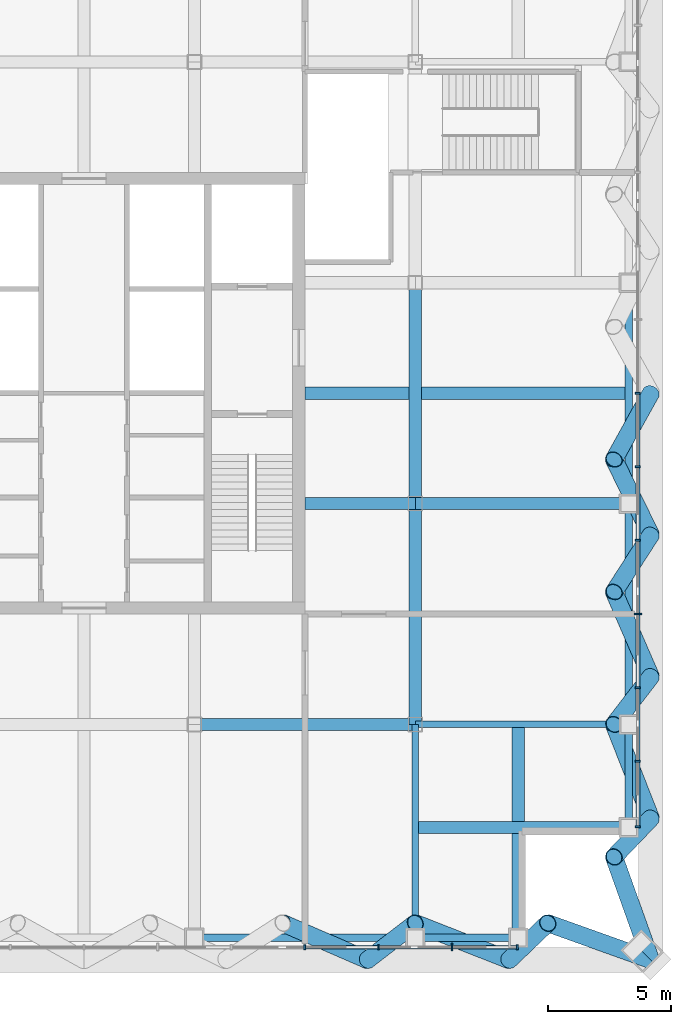
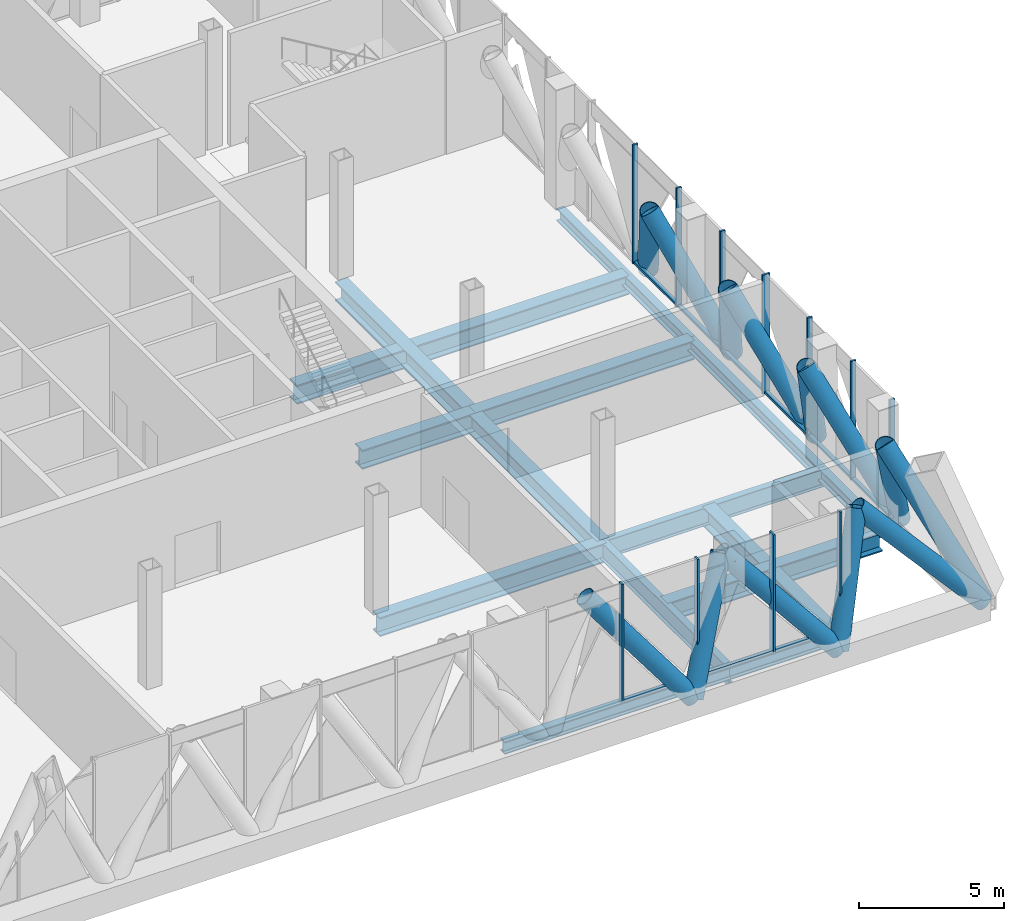
# One storey, part 7 of 27: 33 members, 15 beams, 2 elements without a shape of their own.
"""IFC4 building model written with IfcOpenShell, lengths in metres."""

import ifcopenshell
import ifcopenshell.guid

model = None  # the IFC model being written
_history = None  # IfcOwnerHistory: only IFC2X3 demands one
_inside = {}  # id of a spatial element -> (the spatial element, [elements in it])
_under = {}  # id of a project, library or spatial element -> (it, [spatial elements below it])
_declared = {}  # id of a project -> (the project, [libraries it declares])
_typed = {}  # id of a type object -> (the type object, [elements of that type])
_made_of = {}  # id of a material, layer set ... -> (it, [elements and type objects made of it])


def new_model(schema):
    """Start an empty IFC model of exactly this schema.

    Asked for "IFC4X3", IfcOpenShell would pick the latest addendum, in which some entities
    have other attributes; the version numbers below select the first issue.
    IFC2X3 requires an IfcOwnerHistory on every rooted entity: one is made here for all.
    """
    global model, _history
    if schema == "IFC4X3":
        model = ifcopenshell.file(schema_version=(4, 3, 0, 0))
    else:
        model = ifcopenshell.file(schema=schema)
    _inside.clear()
    _under.clear()
    _declared.clear()
    _typed.clear()
    _made_of.clear()
    _history = None
    if model.schema == "IFC2X3":
        org = make("IfcOrganization", Name="unknown")
        user = make(
            "IfcPersonAndOrganization",
            ThePerson=make("IfcPerson", FamilyName="unknown"),
            TheOrganization=org,
        )
        app = make(
            "IfcApplication",
            ApplicationDeveloper=org,
            Version="unknown",
            ApplicationFullName="unknown",
            ApplicationIdentifier="unknown",
        )
        _history = make(
            "IfcOwnerHistory",
            OwningUser=user,
            OwningApplication=app,
            ChangeAction="ADDED",
            CreationDate=0,
        )
    return model


def make(cls, **values):
    """One entity of the class cls with the attributes given. An attribute that is None is left unset."""
    return model.create_entity(
        cls, **{name: value for name, value in values.items() if value is not None}
    )


def rooted(cls, **values):
    """An entity with a GlobalId (a new one), such as an element, a storey or a relation."""
    return make(cls, GlobalId=ifcopenshell.guid.new(), OwnerHistory=_history, **values)


def si_unit(unit_type, name, prefix=None):
    """IfcSIUnit, for example si_unit("LENGTHUNIT", "METRE", prefix="MILLI")."""
    return make("IfcSIUnit", UnitType=unit_type, Prefix=prefix, Name=name)


def assignment(units):
    """IfcUnitAssignment: the units of a project."""
    return None if units is None else make("IfcUnitAssignment", Units=units)


def point(xyz):
    """IfcCartesianPoint."""
    return None if xyz is None else make("IfcCartesianPoint", Coordinates=xyz)


def direction(xyz):
    """IfcDirection."""
    return None if xyz is None else make("IfcDirection", DirectionRatios=xyz)


def frame(location, z_axis=None, x_axis=None):
    """IfcAxis2Placement3D, a coordinate frame: its origin and axes. An axis left out is left unset."""
    return make(
        "IfcAxis2Placement3D",
        Location=point(location),
        Axis=direction(z_axis),
        RefDirection=direction(x_axis),
    )


def frame_2d(location, x_axis=None):
    """IfcAxis2Placement2D, a coordinate frame in the plane: its origin and x axis."""
    return make(
        "IfcAxis2Placement2D", Location=point(location), RefDirection=direction(x_axis)
    )


def origin():
    """The frame at (0, 0, 0) with its axes left unset."""
    return frame((0.0, 0.0, 0.0))


def origin_2d():
    """The frame at (0, 0) in the plane with its x axis left unset."""
    return frame_2d((0.0, 0.0))


def place(relative_to, where):
    """IfcLocalPlacement: puts the frame where relative to a parent placement (None: the world)."""
    return make(
        "IfcLocalPlacement", PlacementRelTo=relative_to, RelativePlacement=where
    )


def context(
    kind, dimensions, precision=None, world=None, true_north=None, identifier=None
):
    """IfcGeometricRepresentationContext, for example the 3D "Model" context."""
    return make(
        "IfcGeometricRepresentationContext",
        ContextIdentifier=identifier,
        ContextType=kind,
        CoordinateSpaceDimension=dimensions,
        Precision=precision,
        WorldCoordinateSystem=world,
        TrueNorth=true_north,
    )


def subcontext(parent, identifier, kind, view, scale=None):
    """IfcGeometricRepresentationSubContext, for example "Body" below "Model"."""
    return make(
        "IfcGeometricRepresentationSubContext",
        ContextIdentifier=identifier,
        ContextType=kind,
        ParentContext=parent,
        TargetScale=scale,
        TargetView=view,
    )


def project(units=None, contexts=None):
    """IfcProject with its units and contexts."""
    return rooted(
        "IfcProject",
        Name="project",
        RepresentationContexts=contexts,
        UnitsInContext=assignment(units),
    )


def spatial(cls, under=None, at=None, **own):
    """A site, building, storey or space (cls), placed at a placement, below another one or the project."""
    s = rooted(cls, ObjectPlacement=at, **own)
    if under is not None:
        _under.setdefault(under.id(), (under, []))[1].append(s)
    return s


def profile(cls, at=None, kind="AREA", **sizes):
    """A parametric profile (cls). Its sizes go by their IFC names, for example OverallWidth=200.0."""
    return make(cls, ProfileType=kind, Position=at, **sizes)


def rectangle(**sizes):
    """IfcRectangleProfileDef."""
    return profile("IfcRectangleProfileDef", **sizes)


def hollow_circle(**sizes):
    """IfcCircleHollowProfileDef."""
    return profile("IfcCircleHollowProfileDef", **sizes)


def i_section(**sizes):
    """IfcIShapeProfileDef."""
    return profile("IfcIShapeProfileDef", **sizes)


def extrude(swept, where, along, depth):
    """IfcExtrudedAreaSolid: the profile swept, set in the frame where, extruded along a direction by depth."""
    return make(
        "IfcExtrudedAreaSolid",
        SweptArea=swept,
        Position=where,
        ExtrudedDirection=direction(along),
        Depth=depth,
    )


def shape(context_of_items, identifier, shape_type, items):
    """IfcShapeRepresentation: the items that make up one representation, for example the "Body"."""
    return make(
        "IfcShapeRepresentation",
        ContextOfItems=context_of_items,
        RepresentationIdentifier=identifier,
        RepresentationType=shape_type,
        Items=items,
    )


def material(Name=None, Category=None):
    """IfcMaterial."""
    return make("IfcMaterial", Name=Name, Category=Category)


def layer(
    of_material, thickness, ventilated=None, Name=None, Category=None, Priority=None
):
    """IfcMaterialLayer: one layer of a wall or slab, of a material (None: an air gap)."""
    return make(
        "IfcMaterialLayer",
        Material=of_material,
        LayerThickness=thickness,
        IsVentilated=ventilated,
        Name=Name,
        Category=Category,
        Priority=Priority,
    )


def layer_set(layers, Name=None):
    """IfcMaterialLayerSet."""
    return make("IfcMaterialLayerSet", MaterialLayers=layers, LayerSetName=Name)


def material_profile(
    of_material, cross_section, Name=None, Category=None, Priority=None
):
    """IfcMaterialProfile: a cross section and its material."""
    return make(
        "IfcMaterialProfile",
        Name=Name,
        Material=of_material,
        Profile=cross_section,
        Priority=Priority,
        Category=Category,
    )


def profile_set(profiles, Name=None, composite=None):
    """IfcMaterialProfileSet."""
    return make(
        "IfcMaterialProfileSet",
        Name=Name,
        MaterialProfiles=profiles,
        CompositeProfile=composite,
    )


def made_of(thing, what):
    """Note that an element or type object is made of a material, layer set ...; save() writes the relation."""
    if what is not None:
        _made_of.setdefault(what.id(), (what, []))[1].append(thing)
    return thing


def type_object(cls, material=None, **own):
    """A type object (cls), such as IfcWallType, which elements share."""
    return made_of(rooted(cls, **own), material)


def element(
    cls,
    number,
    at=None,
    inside=None,
    cuts=None,
    type_object=None,
    material=None,
    context=None,
    identifier="Body",
    shape_type=None,
    held_by="IfcProductDefinitionShape",
    body=None,
    shapes=None,
    **own,
):
    """One element of the class cls, such as IfcWall. Its Tag is "e" and its number.

    at: its placement. inside: the storey or other place that contains it. cuts: it is an
    opening in that element (IfcRelVoidsElement). A single representation is given by context,
    identifier, shape_type and body (its items); several are given by shapes. held_by: the class
    of the entity that holds the representations. save() writes the other relations.
    """
    e = rooted(cls, Tag="e%d" % number, ObjectPlacement=at, **own)
    if body is not None:
        shapes = [shape(context, identifier, shape_type, body)]
    if shapes is not None:
        e.Representation = make(held_by, Representations=shapes)
    if inside is not None:
        _inside.setdefault(inside.id(), (inside, []))[1].append(e)
    if cuts is not None:
        rooted(
            "IfcRelVoidsElement", RelatingBuildingElement=cuts, RelatedOpeningElement=e
        )
    if type_object is not None:
        _typed.setdefault(type_object.id(), (type_object, []))[1].append(e)
    return made_of(e, material)


def aggregate(whole, parts):
    """IfcRelAggregates: a whole, such as a stair, and the parts it consists of."""
    return rooted("IfcRelAggregates", RelatingObject=whole, RelatedObjects=parts)


def save(model, path):
    """Write the relations noted so far, then the file.

    IfcRelAggregates (storeys below a building ...), IfcRelContainedInSpatialStructure (elements
    in a storey), IfcRelDefinesByType, IfcRelAssociatesMaterial and IfcRelDeclares: one each for
    every whole, place, type object, material and project.
    """
    for whole, parts in _under.values():
        aggregate(whole, parts)
    for where, things in _inside.values():
        rooted(
            "IfcRelContainedInSpatialStructure",
            RelatedElements=things,
            RelatingStructure=where,
        )
    for kind, things in _typed.values():
        rooted("IfcRelDefinesByType", RelatedObjects=things, RelatingType=kind)
    for what, things in _made_of.values():
        rooted("IfcRelAssociatesMaterial", RelatedObjects=things, RelatingMaterial=what)
    for by, libraries in _declared.values():
        rooted("IfcRelDeclares", RelatingContext=by, RelatedDefinitions=libraries)
    model.write(path)


model = new_model("IFC4")

# Units and contexts
model_context = context("Model", 3, precision=1e-05, world=origin(), true_north=direction((0.0, 1.0)))
body_context = subcontext(model_context, "Body", "Model", "MODEL_VIEW")
ifc_project = project(units=[si_unit("LENGTHUNIT", "METRE"), si_unit("AREAUNIT", "SQUARE_METRE"), si_unit("VOLUMEUNIT", "CUBIC_METRE"), si_unit("PLANEANGLEUNIT", "RADIAN"), si_unit("MASSUNIT", "GRAM", prefix="KILO")], contexts=[model_context])

# Site, building, storey
site_placement = place(None, origin())
site = spatial("IfcSite", under=ifc_project, at=site_placement, CompositionType="ELEMENT")
building_placement = place(site_placement, origin())
building = spatial("IfcBuilding", under=site, at=building_placement, Name="Malebo Sky Hospital", CompositionType="ELEMENT")
storey_placement = place(building_placement, frame((0.0, 0.0, 245.0)))
storey = spatial("IfcBuildingStorey", under=building, at=storey_placement, Name="L59", CompositionType="ELEMENT", Elevation=245.0)

# Curtain wall, members
ifc_material_1 = material(Name="Anodised aluminium, natural silver", Category="aluminium")
ifc_layer = layer(ifc_material_1, 0.25)
ifc_layer_set = layer_set([ifc_layer], Name="PLANT LOUVRE SCREEN")
curtain_wall_type = type_object("IfcCurtainWallType", Name="PLANT LOUVRE SCREEN", PredefinedType="NOTDEFINED", material=ifc_layer_set)
curtain_wall_1_placement = place(storey_placement, origin())
curtain_wall_1 = element("IfcCurtainWall", 1, at=curtain_wall_1_placement, inside=storey, type_object=curtain_wall_type, Name="PLANT curtain wall S", PredefinedType="NOTDEFINED")
ifc_material_profile_1 = material_profile(ifc_material_1, rectangle(XDim=0.14990234375, YDim=0.10009765625, at=origin_2d()), Name="ALUMINIUM TRANSOM 150x100")
ifc_profile_set_1 = profile_set([ifc_material_profile_1], Name="Anodised aluminium, natural silver")
member_type_1 = type_object("IfcMemberType", Name="ALUMINIUM TRANSOM 150x100", PredefinedType="USERDEFINED", material=ifc_profile_set_1)
member_1_placement = place(storey_placement, frame((77.625, 39.425048828125, 0.050048828125), z_axis=(-1.0, 0.0, 0.0), x_axis=(0.0, -1.0, 0.0)))
member_1 = element("IfcMember", 2, at=member_1_placement, type_object=member_type_1, Name="Transom 1", ObjectType="TRANSOM", PredefinedType="USERDEFINED", context=body_context, shape_type="SweptSolid", body=[
    extrude(rectangle(XDim=0.14990234375, YDim=0.10009765625, at=origin_2d()), origin(), (0.0, 0.0, 1.0), 2.58740234375),
])
member_2_placement = place(storey_placement, frame((74.96240234375, 39.425048828125, 0.050048828125), z_axis=(-1.0, 0.0, 0.0), x_axis=(0.0, -1.0, 0.0)))
member_2 = element("IfcMember", 3, at=member_2_placement, type_object=member_type_1, Name="Transom 2", ObjectType="TRANSOM", PredefinedType="USERDEFINED", context=body_context, shape_type="SweptSolid", body=[
    extrude(rectangle(XDim=0.14990234375, YDim=0.10009765625, at=origin_2d()), origin(), (0.0, 0.0, 1.0), 2.9248046875),
])
member_3_placement = place(storey_placement, frame((71.96240234375, 39.425048828125, 0.050048828125), z_axis=(-1.0, 0.0, 0.0), x_axis=(0.0, -1.0, 0.0)))
member_3 = element("IfcMember", 4, at=member_3_placement, type_object=member_type_1, Name="Transom 3", ObjectType="TRANSOM", PredefinedType="USERDEFINED", context=body_context, shape_type="SweptSolid", body=[
    extrude(rectangle(XDim=0.14990234375, YDim=0.10009765625, at=origin_2d()), origin(), (0.0, 0.0, 1.0), 2.9248046875),
])

curtain_wall_2_placement = place(storey_placement, origin())
curtain_wall_2 = element("IfcCurtainWall", 5, at=curtain_wall_2_placement, inside=storey, type_object=curtain_wall_type, Name="PLANT curtain wall E", PredefinedType="NOTDEFINED")
member_4_placement = place(storey_placement, frame((82.574951171875, 61.96240234375, 0.050048828125), z_axis=(0.0, -1.0, 0.0), x_axis=(1.0, 0.0, 0.0)))
member_4 = element("IfcMember", 6, at=member_4_placement, type_object=member_type_1, Name="Transom 7", ObjectType="TRANSOM", PredefinedType="USERDEFINED", context=body_context, shape_type="SweptSolid", body=[
    extrude(rectangle(XDim=0.14990234375, YDim=0.10009765625, at=origin_2d()), origin(), (0.0, 0.0, 1.0), 2.9248046875),
])
member_5_placement = place(storey_placement, frame((82.574951171875, 58.96240234375, 0.050048828125), z_axis=(0.0, -1.0, 0.0), x_axis=(1.0, 0.0, 0.0)))
member_5 = element("IfcMember", 7, at=member_5_placement, type_object=member_type_1, Name="Transom 8", ObjectType="TRANSOM", PredefinedType="USERDEFINED", context=body_context, shape_type="SweptSolid", body=[
    extrude(rectangle(XDim=0.14990234375, YDim=0.10009765625, at=origin_2d()), origin(), (0.0, 0.0, 1.0), 2.9248046875),
])
member_6_placement = place(storey_placement, frame((82.574951171875, 55.96240234375, 0.050048828125), z_axis=(0.0, -1.0, 0.0), x_axis=(1.0, 0.0, 0.0)))
member_6 = element("IfcMember", 8, at=member_6_placement, type_object=member_type_1, Name="Transom 9", ObjectType="TRANSOM", PredefinedType="USERDEFINED", context=body_context, shape_type="SweptSolid", body=[
    extrude(rectangle(XDim=0.14990234375, YDim=0.10009765625, at=origin_2d()), origin(), (0.0, 0.0, 1.0), 2.9248046875),
])
member_7_placement = place(storey_placement, frame((82.574951171875, 52.96240234375, 0.050048828125), z_axis=(0.0, -1.0, 0.0), x_axis=(1.0, 0.0, 0.0)))
member_7 = element("IfcMember", 9, at=member_7_placement, type_object=member_type_1, Name="Transom 10", ObjectType="TRANSOM", PredefinedType="USERDEFINED", context=body_context, shape_type="SweptSolid", body=[
    extrude(rectangle(XDim=0.14990234375, YDim=0.10009765625, at=origin_2d()), origin(), (0.0, 0.0, 1.0), 2.9248046875),
])
member_8_placement = place(storey_placement, frame((82.574951171875, 49.96240234375, 0.050048828125), z_axis=(0.0, -1.0, 0.0), x_axis=(1.0, 0.0, 0.0)))
member_8 = element("IfcMember", 10, at=member_8_placement, type_object=member_type_1, Name="Transom 11", ObjectType="TRANSOM", PredefinedType="USERDEFINED", context=body_context, shape_type="SweptSolid", body=[
    extrude(rectangle(XDim=0.14990234375, YDim=0.10009765625, at=origin_2d()), origin(), (0.0, 0.0, 1.0), 2.9248046875),
])
member_9_placement = place(storey_placement, frame((82.574951171875, 46.96240234375, 0.050048828125), z_axis=(0.0, -1.0, 0.0), x_axis=(1.0, 0.0, 0.0)))
member_9 = element("IfcMember", 11, at=member_9_placement, type_object=member_type_1, Name="Transom 12", ObjectType="TRANSOM", PredefinedType="USERDEFINED", context=body_context, shape_type="SweptSolid", body=[
    extrude(rectangle(XDim=0.14990234375, YDim=0.10009765625, at=origin_2d()), origin(), (0.0, 0.0, 1.0), 2.58740234375),
])

# Members
ifc_material_2 = material(Name="Steel S460", Category="steel")
ifc_material_profile_2 = material_profile(ifc_material_2, hollow_circle(Radius=0.35546875, WallThickness=0.02490234375, at=origin_2d()), Name="CHS 711x25")
ifc_profile_set_2 = profile_set([ifc_material_profile_2], Name="Steel S460")
member_type_2 = type_object("IfcMemberType", Name="BELT TRUSS DIAGONAL CHS 711x25", PredefinedType="BRACE", material=ifc_profile_set_2)
member_10_placement = place(storey_placement, frame((68.10009765625, 40.39990234375, 4.14990234375), z_axis=(0.584377622099, -0.254080823026, -0.770678746405), x_axis=(0.398730857498, 0.917067992724, 0.0)))
element("IfcMember", 12, at=member_10_placement, inside=storey, type_object=member_type_2, Name="Belt truss diagonal S6.2 L59", PredefinedType="BRACE", context=body_context, shape_type="SweptSolid", body=[
    extrude(hollow_circle(Radius=0.35546875, WallThickness=0.02490234375, at=origin_2d()), origin(), (0.0, 0.0, 1.0), 5.903564453125),
])
member_11_placement = place(storey_placement, frame((71.550048828125, 38.89990234375, -0.39990234375), z_axis=(0.376996423186, 0.290004510336, 0.879642587015), x_axis=(-0.609720352615, 0.792616610731, 0.0)))
element("IfcMember", 13, at=member_11_placement, inside=storey, type_object=member_type_2, Name="Belt truss diagonal S7.1 L59", PredefinedType="BRACE", context=body_context, shape_type="SweptSolid", body=[
    extrude(hollow_circle(Radius=0.35546875, WallThickness=0.02490234375, at=origin_2d()), origin(), (0.0, 0.0, 1.0), 5.17236328125),
])
member_12_placement = place(storey_placement, frame((73.5, 40.39990234375, 4.14990234375), z_axis=(0.623938635295, -0.244684941294, -0.742179128573), x_axis=(0.365091568196, 0.930971614408, 0.0)))
element("IfcMember", 14, at=member_12_placement, inside=storey, type_object=member_type_2, Name="Belt truss diagonal S7.2 L59", PredefinedType="BRACE", context=body_context, shape_type="SweptSolid", body=[
    extrude(hollow_circle(Radius=0.35546875, WallThickness=0.02490234375, at=origin_2d()), origin(), (0.0, 0.0, 1.0), 6.13037109375),
])
member_13_placement = place(storey_placement, frame((77.324951171875, 38.89990234375, -0.39990234375), z_axis=(0.312308438875, 0.297445829863, 0.90221362066), x_axis=(-0.689666384023, 0.724127253146, 0.0)))
element("IfcMember", 15, at=member_13_placement, inside=storey, type_object=member_type_2, Name="Belt truss diagonal S8.1 L59", PredefinedType="BRACE", context=body_context, shape_type="SweptSolid", body=[
    extrude(hollow_circle(Radius=0.35546875, WallThickness=0.02490234375, at=origin_2d()), origin(), (0.0, 0.0, 1.0), 5.04296875),
])
for number, where, z_axis, x_axis, name in (
    (16, (78.89990234375, 40.39990234375, 4.14990234375), (0.659245717391, -0.235433950689, -0.714118994961), (0.336322526194, 0.941746865338, 0.0), "Belt truss diagonal S8.2 L59"),
    (17, (83.10009765625, 38.89990234375, -0.39990234375), (-0.235433950689, 0.659245717391, 0.714118994961), (-0.941746865338, -0.336322526194, 0.0), "Belt truss diagonal E1.1 L59"),
):
    element("IfcMember", number, at=place(storey_placement, frame(where, z_axis=z_axis, x_axis=x_axis)), inside=storey, type_object=member_type_2, Name=name, PredefinedType="BRACE", context=body_context, shape_type="SweptSolid", body=[
        extrude(hollow_circle(Radius=0.35546875, WallThickness=0.02490234375, at=origin_2d()), origin(), (0.0, 0.0, 1.0), 6.37109375),
    ])
member_14_placement = place(storey_placement, frame((81.60009765625, 43.10009765625, 4.14990234375), z_axis=(0.297445829863, 0.312308438875, -0.90221362066), x_axis=(-0.724127253146, 0.689666384023, 0.0)))
element("IfcMember", 18, at=member_14_placement, inside=storey, type_object=member_type_2, Name="Belt truss diagonal E1.2 L59", PredefinedType="BRACE", context=body_context, shape_type="SweptSolid", body=[
    extrude(hollow_circle(Radius=0.35546875, WallThickness=0.02490234375, at=origin_2d()), origin(), (0.0, 0.0, 1.0), 5.04296875),
])
member_15_placement = place(storey_placement, frame((83.10009765625, 44.675048828125, -0.39990234375), z_axis=(-0.244684941294, 0.623938635295, 0.742179128573), x_axis=(-0.930971614408, -0.365091568196, 0.0)))
element("IfcMember", 19, at=member_15_placement, inside=storey, type_object=member_type_2, Name="Belt truss diagonal E2.1 L59", PredefinedType="BRACE", context=body_context, shape_type="SweptSolid", body=[
    extrude(hollow_circle(Radius=0.35546875, WallThickness=0.02490234375, at=origin_2d()), origin(), (0.0, 0.0, 1.0), 6.13037109375),
])
member_16_placement = place(storey_placement, frame((81.60009765625, 48.5, 4.14990234375), z_axis=(0.290004510336, 0.376996423186, -0.879642587015), x_axis=(-0.792616610731, 0.609720352615, 0.0)))
element("IfcMember", 20, at=member_16_placement, inside=storey, type_object=member_type_2, Name="Belt truss diagonal E2.2 L59", PredefinedType="BRACE", context=body_context, shape_type="SweptSolid", body=[
    extrude(hollow_circle(Radius=0.35546875, WallThickness=0.02490234375, at=origin_2d()), origin(), (0.0, 0.0, 1.0), 5.17236328125),
])
member_17_placement = place(storey_placement, frame((83.10009765625, 50.449951171875, -0.39990234375), z_axis=(-0.254080823026, 0.584377622099, 0.770678746405), x_axis=(-0.917067992724, -0.398730857498, 0.0)))
element("IfcMember", 21, at=member_17_placement, inside=storey, type_object=member_type_2, Name="Belt truss diagonal E3.1 L59", PredefinedType="BRACE", context=body_context, shape_type="SweptSolid", body=[
    extrude(hollow_circle(Radius=0.35546875, WallThickness=0.02490234375, at=origin_2d()), origin(), (0.0, 0.0, 1.0), 5.903564453125),
])
member_18_placement = place(storey_placement, frame((81.60009765625, 53.89990234375, 4.14990234375), z_axis=(0.281682040183, 0.436643839632, -0.854398844539), x_axis=(-0.840317392723, 0.542094714499, 0.0)))
element("IfcMember", 22, at=member_18_placement, inside=storey, type_object=member_type_2, Name="Belt truss diagonal E3.2 L59", PredefinedType="BRACE", context=body_context, shape_type="SweptSolid", body=[
    extrude(hollow_circle(Radius=0.35546875, WallThickness=0.02490234375, at=origin_2d()), origin(), (0.0, 0.0, 1.0), 5.3251953125),
])
member_19_placement = place(storey_placement, frame((83.10009765625, 56.22509765625, -0.39990234375), z_axis=(-0.263498548721, 0.540163447452, 0.799244621414), x_axis=(-0.898765702371, -0.438429255686, 0.0)))
element("IfcMember", 23, at=member_19_placement, inside=storey, type_object=member_type_2, Name="Belt truss diagonal E4.1 L59", PredefinedType="BRACE", context=body_context, shape_type="SweptSolid", body=[
    extrude(hollow_circle(Radius=0.35546875, WallThickness=0.02490234375, at=origin_2d()), origin(), (0.0, 0.0, 1.0), 5.692626953125),
])
member_20_placement = place(storey_placement, frame((81.60009765625, 59.300048828125, 4.14990234375), z_axis=(0.272770292559, 0.490977647365, -0.827367703797), x_axis=(-0.87415354758, 0.485649642493, 0.0)))
element("IfcMember", 24, at=member_20_placement, inside=storey, type_object=member_type_2, Name="Belt truss diagonal E4.2 L59", PredefinedType="BRACE", context=body_context, shape_type="SweptSolid", body=[
    extrude(hollow_circle(Radius=0.35546875, WallThickness=0.02490234375, at=origin_2d()), origin(), (0.0, 0.0, 1.0), 5.4990234375),
])

# Member
ifc_material_profile_3 = material_profile(ifc_material_1, rectangle(XDim=0.074951171875, YDim=0.199951171875, at=origin_2d()), Name="CW5 ALUMINIUM FIN MULLION 75x200")
ifc_profile_set_3 = profile_set([ifc_material_profile_3], Name="Anodised aluminium, natural silver")
member_type_3 = type_object("IfcMemberType", Name="CW5 ALUMINIUM FIN MULLION 75x200", PredefinedType="MULLION", material=ifc_profile_set_3)
member_21_placement = place(storey_placement, frame((77.66259765625, 39.425048828125, 0.0), z_axis=(0.0, 0.0, 1.0), x_axis=(-1.0, 0.0, 0.0)))
member_21 = element("IfcMember", 25, at=member_21_placement, type_object=member_type_3, Name="Fin mullion 1", PredefinedType="MULLION", context=body_context, shape_type="SweptSolid", body=[
    extrude(rectangle(XDim=0.074951171875, YDim=0.199951171875, at=origin_2d()), origin(), (0.0, 0.0, 1.0), 5.0),
])

member_22_placement = place(storey_placement, frame((72.0, 39.425048828125, 0.0), z_axis=(0.0, 0.0, 1.0), x_axis=(-1.0, 0.0, 0.0)))
member_22 = element("IfcMember", 26, at=member_22_placement, type_object=member_type_3, Name="Fin mullion 3", PredefinedType="MULLION", context=body_context, shape_type="SweptSolid", body=[
    extrude(rectangle(XDim=0.074951171875, YDim=0.199951171875, at=origin_2d()), origin(), (0.0, 0.0, 1.0), 5.0),
])

member_23_placement = place(storey_placement, frame((69.0, 39.425048828125, 0.0), z_axis=(0.0, 0.0, 1.0), x_axis=(-1.0, 0.0, 0.0)))
member_23 = element("IfcMember", 27, at=member_23_placement, type_object=member_type_3, Name="Fin mullion 4", PredefinedType="MULLION", context=body_context, shape_type="SweptSolid", body=[
    extrude(rectangle(XDim=0.074951171875, YDim=0.199951171875, at=origin_2d()), origin(), (0.0, 0.0, 1.0), 5.0),
])

member_24_placement = place(storey_placement, frame((82.574951171875, 62.0, 0.0), z_axis=(0.0, 0.0, 1.0), x_axis=(0.0, -1.0, 0.0)))
member_24 = element("IfcMember", 28, at=member_24_placement, type_object=member_type_3, Name="Fin mullion 7", PredefinedType="MULLION", context=body_context, shape_type="SweptSolid", body=[
    extrude(rectangle(XDim=0.074951171875, YDim=0.199951171875, at=origin_2d()), origin(), (0.0, 0.0, 1.0), 5.0),
])

member_25_placement = place(storey_placement, frame((82.574951171875, 59.0, 0.0), z_axis=(0.0, 0.0, 1.0), x_axis=(0.0, -1.0, 0.0)))
member_25 = element("IfcMember", 29, at=member_25_placement, type_object=member_type_3, Name="Fin mullion 8", PredefinedType="MULLION", context=body_context, shape_type="SweptSolid", body=[
    extrude(rectangle(XDim=0.074951171875, YDim=0.199951171875, at=origin_2d()), origin(), (0.0, 0.0, 1.0), 5.0),
])

member_26_placement = place(storey_placement, frame((82.574951171875, 56.0, 0.0), z_axis=(0.0, 0.0, 1.0), x_axis=(0.0, -1.0, 0.0)))
member_26 = element("IfcMember", 30, at=member_26_placement, type_object=member_type_3, Name="Fin mullion 9", PredefinedType="MULLION", context=body_context, shape_type="SweptSolid", body=[
    extrude(rectangle(XDim=0.074951171875, YDim=0.199951171875, at=origin_2d()), origin(), (0.0, 0.0, 1.0), 5.0),
])

member_27_placement = place(storey_placement, frame((82.574951171875, 50.0, 0.0), z_axis=(0.0, 0.0, 1.0), x_axis=(0.0, -1.0, 0.0)))
member_27 = element("IfcMember", 31, at=member_27_placement, type_object=member_type_3, Name="Fin mullion 11", PredefinedType="MULLION", context=body_context, shape_type="SweptSolid", body=[
    extrude(rectangle(XDim=0.074951171875, YDim=0.199951171875, at=origin_2d()), origin(), (0.0, 0.0, 1.0), 5.0),
])

member_28_placement = place(storey_placement, frame((82.574951171875, 47.0, 0.0), z_axis=(0.0, 0.0, 1.0), x_axis=(0.0, -1.0, 0.0)))
member_28 = element("IfcMember", 32, at=member_28_placement, type_object=member_type_3, Name="Fin mullion 12", PredefinedType="MULLION", context=body_context, shape_type="SweptSolid", body=[
    extrude(rectangle(XDim=0.074951171875, YDim=0.199951171875, at=origin_2d()), origin(), (0.0, 0.0, 1.0), 5.0),
])

member_29_placement = place(storey_placement, frame((82.574951171875, 44.33740234375, 0.0), z_axis=(0.0, 0.0, 1.0), x_axis=(0.0, -1.0, 0.0)))
member_29 = element("IfcMember", 33, at=member_29_placement, type_object=member_type_3, Name="Fin mullion 13", PredefinedType="MULLION", context=body_context, shape_type="SweptSolid", body=[
    extrude(rectangle(XDim=0.074951171875, YDim=0.199951171875, at=origin_2d()), origin(), (0.0, 0.0, 1.0), 5.0),
])

ifc_material_profile_4 = material_profile(ifc_material_1, rectangle(XDim=0.074951171875, YDim=0.300048828125, at=origin_2d()), Name="CW5 ALUMINIUM FIN MULLION 75x300")
ifc_profile_set_4 = profile_set([ifc_material_profile_4], Name="Anodised aluminium, natural silver")
member_type_4 = type_object("IfcMemberType", Name="CW5 ALUMINIUM FIN MULLION 75x300", PredefinedType="MULLION", material=ifc_profile_set_4)
member_30_placement = place(storey_placement, frame((75.0, 39.425048828125, 0.0), z_axis=(0.0, 0.0, 1.0), x_axis=(-1.0, 0.0, 0.0)))
member_30 = element("IfcMember", 34, at=member_30_placement, type_object=member_type_4, Name="Fin mullion 2", PredefinedType="MULLION", context=body_context, shape_type="SweptSolid", body=[
    extrude(rectangle(XDim=0.074951171875, YDim=0.300048828125, at=origin_2d()), origin(), (0.0, 0.0, 1.0), 5.0),
])

aggregate(curtain_wall_1, [member_21, member_30, member_22, member_23, member_1, member_2, member_3])

member_31_placement = place(storey_placement, frame((82.574951171875, 53.0, 0.0), z_axis=(0.0, 0.0, 1.0), x_axis=(0.0, -1.0, 0.0)))
member_31 = element("IfcMember", 35, at=member_31_placement, type_object=member_type_4, Name="Fin mullion 10", PredefinedType="MULLION", context=body_context, shape_type="SweptSolid", body=[
    extrude(rectangle(XDim=0.074951171875, YDim=0.300048828125, at=origin_2d()), origin(), (0.0, 0.0, 1.0), 5.0),
])

aggregate(curtain_wall_2, [member_24, member_25, member_26, member_31, member_27, member_28, member_29, member_4, member_5, member_6, member_7, member_8, member_9])

# Beams
ifc_material_3 = material(Name="Steel S355", Category="steel")
ifc_material_profile_5 = material_profile(ifc_material_3, i_section(OverallWidth=0.305908203125, OverallDepth=0.52392578125, WebThickness=0.02099609375, FlangeThickness=0.0400390625, FilletRadius=0.027099609375, at=origin_2d()), Name="HEM 500")
ifc_profile_set_5 = profile_set([ifc_material_profile_5], Name="Steel S355")
beam_type_1 = type_object("IfcBeamType", Name="EDGE BEAM HEM 500", PredefinedType="BEAM", material=ifc_profile_set_5)
beam_1_placement = place(storey_placement, frame((82.199951171875, 44.449951171875, -0.511962890625), z_axis=(0.0, 1.0, 0.0), x_axis=(-1.0, 0.0, 0.0)))
element("IfcBeam", 36, at=beam_1_placement, inside=storey, type_object=beam_type_1, Name="Beam 029 L59", PredefinedType="BEAM", context=body_context, shape_type="SweptSolid", body=[
    extrude(i_section(OverallWidth=0.305908203125, OverallDepth=0.52392578125, WebThickness=0.02099609375, FlangeThickness=0.0400390625, FilletRadius=0.027099609375, at=origin_2d()), origin(), (0.0, 0.0, 1.0), 4.050048828125),
])
for number, where, z_axis, x_axis, name in (
    (37, (82.199951171875, 48.5, -0.511962890625), (0.0, 1.0, 0.0), (-1.0, 0.0, 0.0), "Beam 030 L59"),
    (38, (82.199951171875, 57.5, -0.511962890625), (0.0, 1.0, 0.0), (-1.0, 0.0, 0.0), "Beam 031 L59"),
    (39, (64.5, 39.800048828125, -0.511962890625), (1.0, 0.0, 0.0), (0.0, 1.0, 0.0), "Beam 037 L59"),
):
    element("IfcBeam", number, at=place(storey_placement, frame(where, z_axis=z_axis, x_axis=x_axis)), inside=storey, type_object=beam_type_1, Name=name, PredefinedType="BEAM", context=body_context, shape_type="SweptSolid", body=[
        extrude(i_section(OverallWidth=0.305908203125, OverallDepth=0.52392578125, WebThickness=0.02099609375, FlangeThickness=0.0400390625, FilletRadius=0.027099609375, at=origin_2d()), origin(), (0.0, 0.0, 1.0), 9.0),
    ])
beam_2_placement = place(storey_placement, frame((73.5, 39.800048828125, -0.511962890625), z_axis=(1.0, 0.0, 0.0), x_axis=(0.0, 1.0, 0.0)))
element("IfcBeam", 40, at=beam_2_placement, inside=storey, type_object=beam_type_1, Name="Beam 038 L59", PredefinedType="BEAM", context=body_context, shape_type="SweptSolid", body=[
    extrude(i_section(OverallWidth=0.305908203125, OverallDepth=0.52392578125, WebThickness=0.02099609375, FlangeThickness=0.0400390625, FilletRadius=0.027099609375, at=origin_2d()), origin(), (0.0, 0.0, 1.0), 4.050048828125),
])
ifc_material_profile_6 = material_profile(ifc_material_3, i_section(OverallWidth=0.5, OverallDepth=0.800048828125, WebThickness=0.030029296875, FlangeThickness=0.050048828125, at=origin_2d()), Name="PG 800x500x30x50")
ifc_profile_set_6 = profile_set([ifc_material_profile_6], Name="Steel S355")
beam_type_2 = type_object("IfcBeamType", Name="FLOOR BEAM PG 800x500x30x50", PredefinedType="BEAM", material=ifc_profile_set_6)
beam_3_placement = place(storey_placement, frame((73.5, 48.5, -0.64990234375), z_axis=(0.0, 1.0, 0.0), x_axis=(-1.0, 0.0, 0.0)))
element("IfcBeam", 41, at=beam_3_placement, inside=storey, type_object=beam_type_2, Name="Beam 023 L59", PredefinedType="BEAM", context=body_context, shape_type="SweptSolid", body=[
    extrude(i_section(OverallWidth=0.5, OverallDepth=0.800048828125, WebThickness=0.030029296875, FlangeThickness=0.050048828125, at=origin_2d()), origin(), (0.0, 0.0, 1.0), 9.0),
])
for number, where, z_axis, x_axis, name in (
    (42, (77.699951171875, 39.949951171875, -0.64990234375), (0.0, 1.0, 0.0), (-1.0, 0.0, 0.0), "Beam 027 L59"),
    (43, (73.5, 44.300048828125, -0.64990234375), (1.0, 0.0, 0.0), (0.0, 1.0, 0.0), "Beam 040 L59"),
):
    element("IfcBeam", number, at=place(storey_placement, frame(where, z_axis=z_axis, x_axis=x_axis)), inside=storey, type_object=beam_type_2, Name=name, PredefinedType="BEAM", context=body_context, shape_type="SweptSolid", body=[
        extrude(i_section(OverallWidth=0.5, OverallDepth=0.800048828125, WebThickness=0.030029296875, FlangeThickness=0.050048828125, at=origin_2d()), origin(), (0.0, 0.0, 1.0), 8.550048828125),
    ])
beam_4_placement = place(storey_placement, frame((64.5, 48.5, -0.64990234375), z_axis=(1.0, 0.0, 0.0), x_axis=(0.0, 1.0, 0.0)))
element("IfcBeam", 44, at=beam_4_placement, inside=storey, type_object=beam_type_2, Name="Beam 044 L59", PredefinedType="BEAM", context=body_context, shape_type="SweptSolid", body=[
    extrude(i_section(OverallWidth=0.5, OverallDepth=0.800048828125, WebThickness=0.030029296875, FlangeThickness=0.050048828125, at=origin_2d()), origin(), (0.0, 0.0, 1.0), 9.0),
])
beam_5_placement = place(storey_placement, frame((69.0, 57.5, -0.64990234375), z_axis=(1.0, 0.0, 0.0), x_axis=(0.0, 1.0, 0.0)))
element("IfcBeam", 45, at=beam_5_placement, inside=storey, type_object=beam_type_2, Name="Beam 048 L59", PredefinedType="BEAM", context=body_context, shape_type="SweptSolid", body=[
    extrude(i_section(OverallWidth=0.5, OverallDepth=0.800048828125, WebThickness=0.030029296875, FlangeThickness=0.050048828125, at=origin_2d()), origin(), (0.0, 0.0, 1.0), 4.5),
])
beam_6_placement = place(storey_placement, frame((73.5, 57.5, -0.64990234375), z_axis=(1.0, 0.0, 0.0), x_axis=(0.0, 1.0, 0.0)))
element("IfcBeam", 46, at=beam_6_placement, inside=storey, type_object=beam_type_2, Name="Beam 049 L59", PredefinedType="BEAM", context=body_context, shape_type="SweptSolid", body=[
    extrude(i_section(OverallWidth=0.5, OverallDepth=0.800048828125, WebThickness=0.030029296875, FlangeThickness=0.050048828125, at=origin_2d()), origin(), (0.0, 0.0, 1.0), 8.699951171875),
])
beam_7_placement = place(storey_placement, frame((69.0, 62.0, -0.64990234375), z_axis=(1.0, 0.0, 0.0), x_axis=(0.0, 1.0, 0.0)))
element("IfcBeam", 47, at=beam_7_placement, inside=storey, type_object=beam_type_2, Name="Beam 051 L59", PredefinedType="BEAM", context=body_context, shape_type="SweptSolid", body=[
    extrude(i_section(OverallWidth=0.5, OverallDepth=0.800048828125, WebThickness=0.030029296875, FlangeThickness=0.050048828125, at=origin_2d()), origin(), (0.0, 0.0, 1.0), 13.199951171875),
])
ifc_material_profile_7 = material_profile(ifc_material_3, i_section(OverallWidth=0.26708984375, OverallDepth=0.761962890625, WebThickness=0.014404296875, FlangeThickness=0.021484375, FilletRadius=0.01708984375, at=origin_2d()), Name="IPE 750x173")
ifc_profile_set_7 = profile_set([ifc_material_profile_7], Name="Steel S355")
beam_type_3 = type_object("IfcBeamType", Name="FLOOR GIRDER IPE 750x173", PredefinedType="BEAM", material=ifc_profile_set_7)
for number, where, z_axis, x_axis, name in (
    (48, (73.5, 39.800048828125, -0.631103515625), (0.0, 1.0, 0.0), (-1.0, 0.0, 0.0), "Beam 022 L59"),
    (49, (73.5, 48.5, -0.631103515625), (1.0, 0.0, 0.0), (0.0, 1.0, 0.0), "Beam 045 L59"),
):
    element("IfcBeam", number, at=place(storey_placement, frame(where, z_axis=z_axis, x_axis=x_axis)), inside=storey, type_object=beam_type_3, Name=name, PredefinedType="BEAM", context=body_context, shape_type="SweptSolid", body=[
        extrude(i_section(OverallWidth=0.26708984375, OverallDepth=0.761962890625, WebThickness=0.014404296875, FlangeThickness=0.021484375, FilletRadius=0.01708984375, at=origin_2d()), origin(), (0.0, 0.0, 1.0), 8.699951171875),
    ])
ifc_material_profile_8 = material_profile(ifc_material_3, i_section(OverallWidth=0.5, OverallDepth=0.800048828125, WebThickness=0.030029296875, FlangeThickness=0.050048828125, at=origin_2d()), Name="PG 800x500x30x50")
ifc_profile_set_8 = profile_set([ifc_material_profile_8], Name="Steel S355")
beam_type_4 = type_object("IfcBeamType", Name="RING GIRDER PG 800x500x30x50", PredefinedType="BEAM", material=ifc_profile_set_8)
beam_8_placement = place(storey_placement, frame((73.5, 57.5, -0.64990234375), z_axis=(0.0, 1.0, 0.0), x_axis=(-1.0, 0.0, 0.0)))
element("IfcBeam", 50, at=beam_8_placement, inside=storey, type_object=beam_type_4, Name="Beam 024 L59", PredefinedType="BEAM", context=body_context, shape_type="SweptSolid", body=[
    extrude(i_section(OverallWidth=0.5, OverallDepth=0.800048828125, WebThickness=0.030029296875, FlangeThickness=0.050048828125, at=origin_2d()), origin(), (0.0, 0.0, 1.0), 9.0),
])

save(model, "model.ifc")
